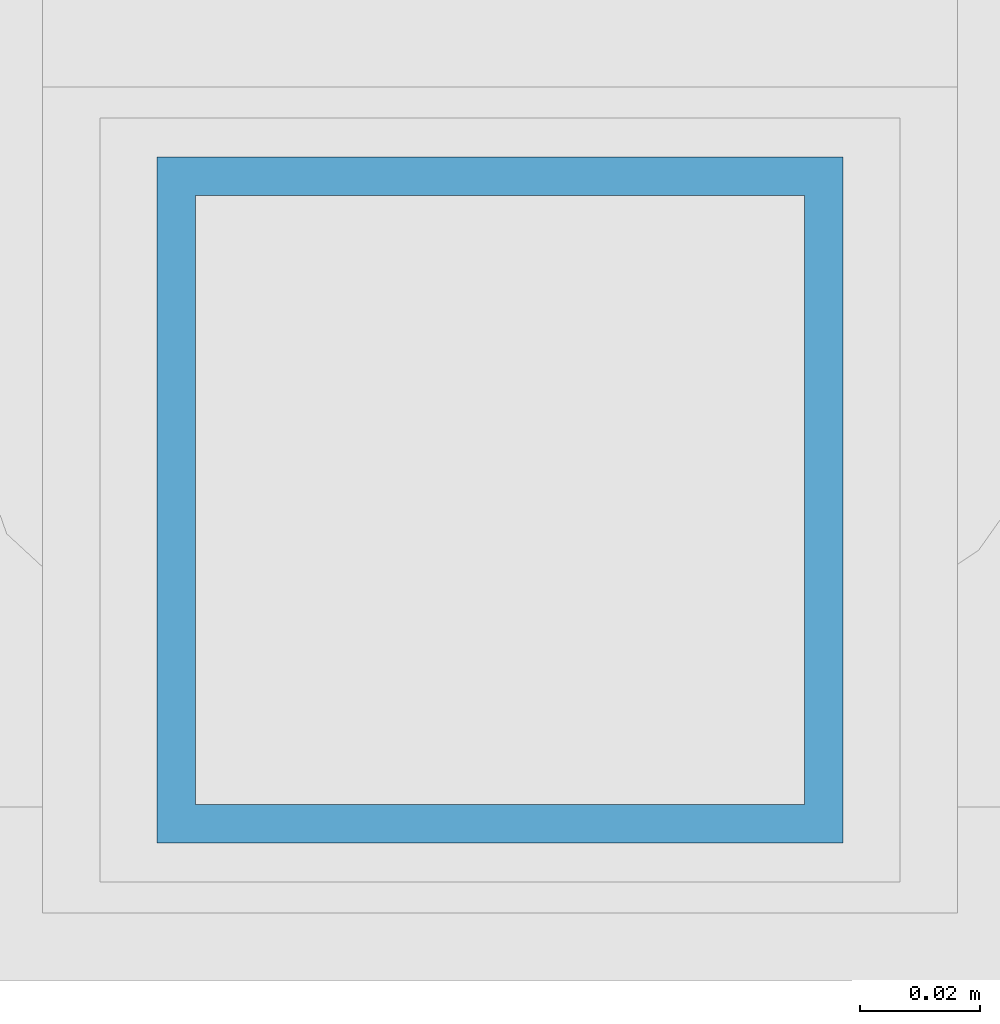
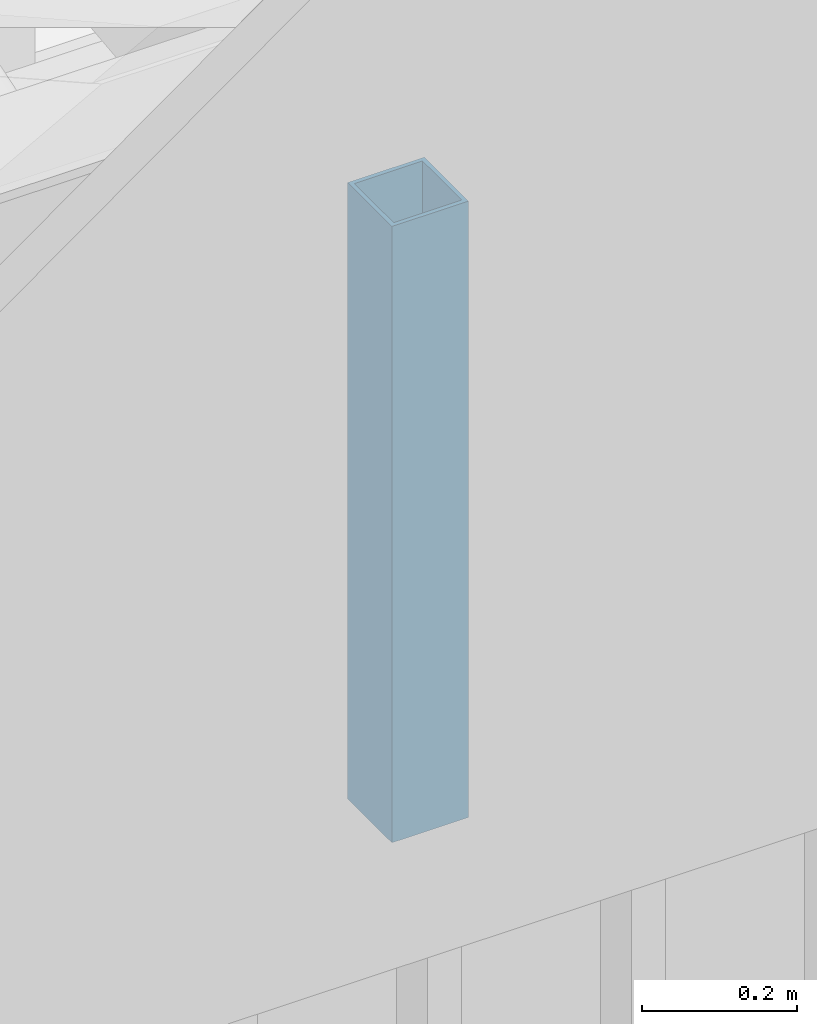
# One storey, part 413 of 500: 1 member.
"""IFC4 building model written with IfcOpenShell, lengths in metres."""

from ifc_helpers import new_model, si_unit, direction, frame, origin, origin_2d, place, context, subcontext, project, spatial, hollow_rectangle, extrude, material, material_profile, profile_set, type_object, element, save


model = new_model("IFC4")

# Units and contexts
model_context = context("Model", 3, precision=1e-05, world=origin(), true_north=direction((0.0, 1.0)))
body_context = subcontext(model_context, "Body", "Model", "MODEL_VIEW")
ifc_project = project(units=[si_unit("LENGTHUNIT", "METRE"), si_unit("AREAUNIT", "SQUARE_METRE"), si_unit("VOLUMEUNIT", "CUBIC_METRE"), si_unit("PLANEANGLEUNIT", "RADIAN"), si_unit("MASSUNIT", "GRAM", prefix="KILO")], contexts=[model_context])

# Site, building, storey
site_placement = place(None, origin())
site = spatial("IfcSite", under=ifc_project, at=site_placement, CompositionType="ELEMENT")
building_placement = place(site_placement, origin())
building = spatial("IfcBuilding", under=site, at=building_placement, Name="Shirokan Park Arena", CompositionType="ELEMENT")
storey_placement = place(building_placement, frame((0.0, 0.0, 29.1201171875)))
storey = spatial("IfcBuildingStorey", under=building, at=storey_placement, Name="L06", CompositionType="ELEMENT", Elevation=29.1201171875)

# Member
ifc_material = material(Name="Steel ASTM A500 Grade C", Category="steel")
ifc_material_profile = material_profile(ifc_material, hollow_rectangle(XDim=0.114013671875, YDim=0.114013671875, WallThickness=0.00634765625, at=origin_2d()), Name="HSS114.3X114.3X6.4")
ifc_profile_set = profile_set([ifc_material_profile], Name="Steel ASTM A500 Grade C")
member_type = type_object("IfcMemberType", Name="Truss post HSS114.3X114.3X6.4", PredefinedType="POST", material=ifc_profile_set)
member_placement = place(storey_placement, frame((100.10009765625, -9.10009765625, 10.531982421875), z_axis=(0.0, 0.0, 1.0), x_axis=(1.0, 0.0, 0.0)))
element("IfcMember", 1, at=member_placement, inside=storey, type_object=member_type, Name="Truss T12 post 1", PredefinedType="POST", context=body_context, shape_type="SweptSolid", body=[
    extrude(hollow_rectangle(XDim=0.114013671875, YDim=0.114013671875, WallThickness=0.00634765625, at=origin_2d()), origin(), (0.0, 0.0, 1.0), 0.969482421875),
])

save(model, "model.ifc")
